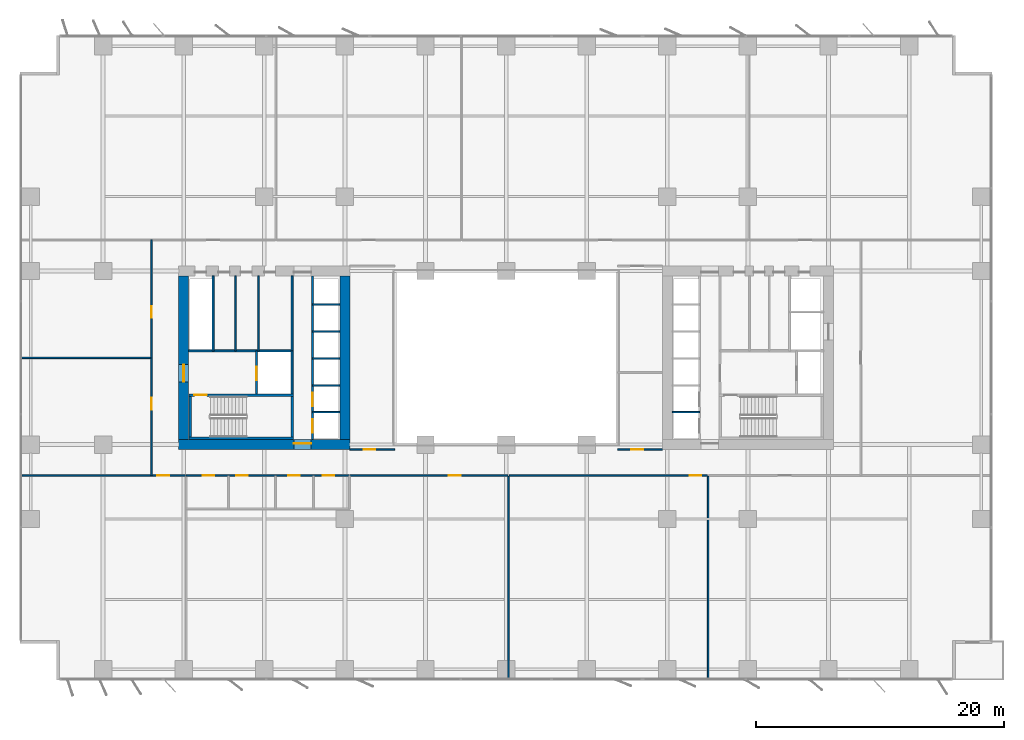
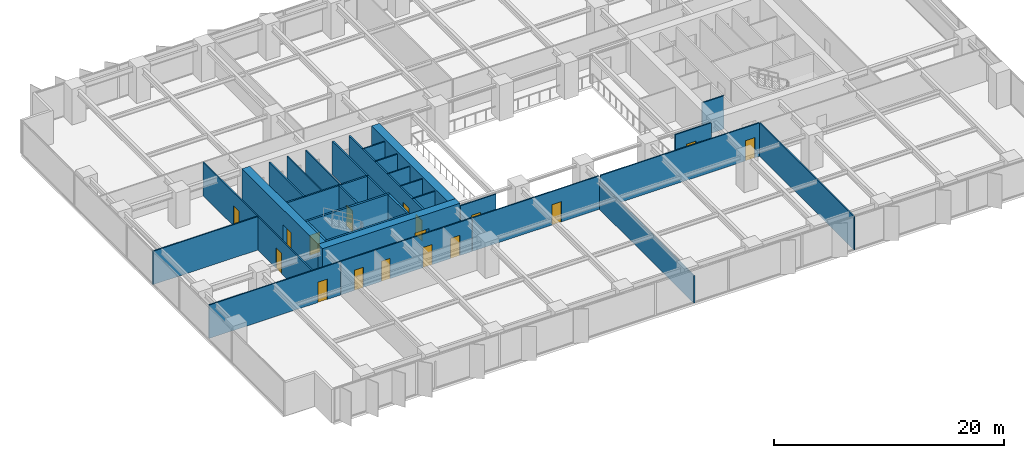
# One storey, part 13 of 20: 32 walls, 17 doors, 17 openings.
"""IFC4 building model written with IfcOpenShell, lengths in metres."""

import ifcopenshell
import ifcopenshell.guid

model = None  # the IFC model being written
_history = None  # IfcOwnerHistory: only IFC2X3 demands one
_inside = {}  # id of a spatial element -> (the spatial element, [elements in it])
_under = {}  # id of a project, library or spatial element -> (it, [spatial elements below it])
_declared = {}  # id of a project -> (the project, [libraries it declares])
_typed = {}  # id of a type object -> (the type object, [elements of that type])
_made_of = {}  # id of a material, layer set ... -> (it, [elements and type objects made of it])


def new_model(schema):
    """Start an empty IFC model of exactly this schema.

    Asked for "IFC4X3", IfcOpenShell would pick the latest addendum, in which some entities
    have other attributes; the version numbers below select the first issue.
    IFC2X3 requires an IfcOwnerHistory on every rooted entity: one is made here for all.
    """
    global model, _history
    if schema == "IFC4X3":
        model = ifcopenshell.file(schema_version=(4, 3, 0, 0))
    else:
        model = ifcopenshell.file(schema=schema)
    _inside.clear()
    _under.clear()
    _declared.clear()
    _typed.clear()
    _made_of.clear()
    _history = None
    if model.schema == "IFC2X3":
        org = make("IfcOrganization", Name="unknown")
        user = make(
            "IfcPersonAndOrganization",
            ThePerson=make("IfcPerson", FamilyName="unknown"),
            TheOrganization=org,
        )
        app = make(
            "IfcApplication",
            ApplicationDeveloper=org,
            Version="unknown",
            ApplicationFullName="unknown",
            ApplicationIdentifier="unknown",
        )
        _history = make(
            "IfcOwnerHistory",
            OwningUser=user,
            OwningApplication=app,
            ChangeAction="ADDED",
            CreationDate=0,
        )
    return model


def make(cls, **values):
    """One entity of the class cls with the attributes given. An attribute that is None is left unset."""
    return model.create_entity(
        cls, **{name: value for name, value in values.items() if value is not None}
    )


def rooted(cls, **values):
    """An entity with a GlobalId (a new one), such as an element, a storey or a relation."""
    return make(cls, GlobalId=ifcopenshell.guid.new(), OwnerHistory=_history, **values)


def si_unit(unit_type, name, prefix=None):
    """IfcSIUnit, for example si_unit("LENGTHUNIT", "METRE", prefix="MILLI")."""
    return make("IfcSIUnit", UnitType=unit_type, Prefix=prefix, Name=name)


def assignment(units):
    """IfcUnitAssignment: the units of a project."""
    return None if units is None else make("IfcUnitAssignment", Units=units)


def point(xyz):
    """IfcCartesianPoint."""
    return None if xyz is None else make("IfcCartesianPoint", Coordinates=xyz)


def direction(xyz):
    """IfcDirection."""
    return None if xyz is None else make("IfcDirection", DirectionRatios=xyz)


def frame(location, z_axis=None, x_axis=None):
    """IfcAxis2Placement3D, a coordinate frame: its origin and axes. An axis left out is left unset."""
    return make(
        "IfcAxis2Placement3D",
        Location=point(location),
        Axis=direction(z_axis),
        RefDirection=direction(x_axis),
    )


def frame_2d(location, x_axis=None):
    """IfcAxis2Placement2D, a coordinate frame in the plane: its origin and x axis."""
    return make(
        "IfcAxis2Placement2D", Location=point(location), RefDirection=direction(x_axis)
    )


def origin():
    """The frame at (0, 0, 0) with its axes left unset."""
    return frame((0.0, 0.0, 0.0))


def place(relative_to, where):
    """IfcLocalPlacement: puts the frame where relative to a parent placement (None: the world)."""
    return make(
        "IfcLocalPlacement", PlacementRelTo=relative_to, RelativePlacement=where
    )


def context(
    kind, dimensions, precision=None, world=None, true_north=None, identifier=None
):
    """IfcGeometricRepresentationContext, for example the 3D "Model" context."""
    return make(
        "IfcGeometricRepresentationContext",
        ContextIdentifier=identifier,
        ContextType=kind,
        CoordinateSpaceDimension=dimensions,
        Precision=precision,
        WorldCoordinateSystem=world,
        TrueNorth=true_north,
    )


def subcontext(parent, identifier, kind, view, scale=None):
    """IfcGeometricRepresentationSubContext, for example "Body" below "Model"."""
    return make(
        "IfcGeometricRepresentationSubContext",
        ContextIdentifier=identifier,
        ContextType=kind,
        ParentContext=parent,
        TargetScale=scale,
        TargetView=view,
    )


def project(units=None, contexts=None):
    """IfcProject with its units and contexts."""
    return rooted(
        "IfcProject",
        Name="project",
        RepresentationContexts=contexts,
        UnitsInContext=assignment(units),
    )


def spatial(cls, under=None, at=None, **own):
    """A site, building, storey or space (cls), placed at a placement, below another one or the project."""
    s = rooted(cls, ObjectPlacement=at, **own)
    if under is not None:
        _under.setdefault(under.id(), (under, []))[1].append(s)
    return s


def profile(cls, at=None, kind="AREA", **sizes):
    """A parametric profile (cls). Its sizes go by their IFC names, for example OverallWidth=200.0."""
    return make(cls, ProfileType=kind, Position=at, **sizes)


def rectangle(**sizes):
    """IfcRectangleProfileDef."""
    return profile("IfcRectangleProfileDef", **sizes)


def extrude(swept, where, along, depth):
    """IfcExtrudedAreaSolid: the profile swept, set in the frame where, extruded along a direction by depth."""
    return make(
        "IfcExtrudedAreaSolid",
        SweptArea=swept,
        Position=where,
        ExtrudedDirection=direction(along),
        Depth=depth,
    )


def shape(context_of_items, identifier, shape_type, items):
    """IfcShapeRepresentation: the items that make up one representation, for example the "Body"."""
    return make(
        "IfcShapeRepresentation",
        ContextOfItems=context_of_items,
        RepresentationIdentifier=identifier,
        RepresentationType=shape_type,
        Items=items,
    )


def material(Name=None, Category=None):
    """IfcMaterial."""
    return make("IfcMaterial", Name=Name, Category=Category)


def layer(
    of_material, thickness, ventilated=None, Name=None, Category=None, Priority=None
):
    """IfcMaterialLayer: one layer of a wall or slab, of a material (None: an air gap)."""
    return make(
        "IfcMaterialLayer",
        Material=of_material,
        LayerThickness=thickness,
        IsVentilated=ventilated,
        Name=Name,
        Category=Category,
        Priority=Priority,
    )


def layer_set(layers, Name=None):
    """IfcMaterialLayerSet."""
    return make("IfcMaterialLayerSet", MaterialLayers=layers, LayerSetName=Name)


def made_of(thing, what):
    """Note that an element or type object is made of a material, layer set ...; save() writes the relation."""
    if what is not None:
        _made_of.setdefault(what.id(), (what, []))[1].append(thing)
    return thing


def type_object(cls, material=None, **own):
    """A type object (cls), such as IfcWallType, which elements share."""
    return made_of(rooted(cls, **own), material)


def element(
    cls,
    number,
    at=None,
    inside=None,
    cuts=None,
    type_object=None,
    material=None,
    context=None,
    identifier="Body",
    shape_type=None,
    held_by="IfcProductDefinitionShape",
    body=None,
    shapes=None,
    **own,
):
    """One element of the class cls, such as IfcWall. Its Tag is "e" and its number.

    at: its placement. inside: the storey or other place that contains it. cuts: it is an
    opening in that element (IfcRelVoidsElement). A single representation is given by context,
    identifier, shape_type and body (its items); several are given by shapes. held_by: the class
    of the entity that holds the representations. save() writes the other relations.
    """
    e = rooted(cls, Tag="e%d" % number, ObjectPlacement=at, **own)
    if body is not None:
        shapes = [shape(context, identifier, shape_type, body)]
    if shapes is not None:
        e.Representation = make(held_by, Representations=shapes)
    if inside is not None:
        _inside.setdefault(inside.id(), (inside, []))[1].append(e)
    if cuts is not None:
        rooted(
            "IfcRelVoidsElement", RelatingBuildingElement=cuts, RelatedOpeningElement=e
        )
    if type_object is not None:
        _typed.setdefault(type_object.id(), (type_object, []))[1].append(e)
    return made_of(e, material)


def fill(opening, filler):
    """IfcRelFillsElement: the door or window that sits in an opening."""
    return rooted(
        "IfcRelFillsElement",
        RelatingOpeningElement=opening,
        RelatedBuildingElement=filler,
    )


def aggregate(whole, parts):
    """IfcRelAggregates: a whole, such as a stair, and the parts it consists of."""
    return rooted("IfcRelAggregates", RelatingObject=whole, RelatedObjects=parts)


def save(model, path):
    """Write the relations noted so far, then the file.

    IfcRelAggregates (storeys below a building ...), IfcRelContainedInSpatialStructure (elements
    in a storey), IfcRelDefinesByType, IfcRelAssociatesMaterial and IfcRelDeclares: one each for
    every whole, place, type object, material and project.
    """
    for whole, parts in _under.values():
        aggregate(whole, parts)
    for where, things in _inside.values():
        rooted(
            "IfcRelContainedInSpatialStructure",
            RelatedElements=things,
            RelatingStructure=where,
        )
    for kind, things in _typed.values():
        rooted("IfcRelDefinesByType", RelatedObjects=things, RelatingType=kind)
    for what, things in _made_of.values():
        rooted("IfcRelAssociatesMaterial", RelatedObjects=things, RelatingMaterial=what)
    for by, libraries in _declared.values():
        rooted("IfcRelDeclares", RelatingContext=by, RelatedDefinitions=libraries)
    model.write(path)


model = new_model("IFC4")

# Units and contexts
model_context = context("Model", 3, precision=1e-05, world=origin(), true_north=direction((0.0, 1.0)))
body_context = subcontext(model_context, "Body", "Model", "MODEL_VIEW")
ifc_project = project(units=[si_unit("LENGTHUNIT", "METRE"), si_unit("AREAUNIT", "SQUARE_METRE"), si_unit("VOLUMEUNIT", "CUBIC_METRE"), si_unit("PLANEANGLEUNIT", "RADIAN"), si_unit("MASSUNIT", "GRAM", prefix="KILO")], contexts=[model_context])

# Site, building, storey
site_placement = place(None, origin())
site = spatial("IfcSite", under=ifc_project, at=site_placement, CompositionType="ELEMENT")
building_placement = place(site_placement, origin())
building = spatial("IfcBuilding", under=site, at=building_placement, Name="Putna Gate Headquarters", CompositionType="ELEMENT")
storey_placement = place(building_placement, frame((0.0, 0.0, 46.800048828125)))
storey = spatial("IfcBuildingStorey", under=building, at=storey_placement, Name="L10", CompositionType="ELEMENT", Elevation=46.800048828125)

# Wall, opening, door
ifc_material_1 = material(Name="Concrete C60/75", Category="concrete")
ifc_layer_1 = layer(ifc_material_1, 0.800048828125)
ifc_layer_set_1 = layer_set([ifc_layer_1], Name="Concrete C60/75")
wall_type_1 = type_object("IfcWallType", Name="WALL-CORE-800", PredefinedType="SHEAR", material=ifc_layer_set_1)
wall_1_placement = place(storey_placement, frame((12.60009765625, 19.0, 0.0), z_axis=(0.0, 0.0, 1.0), x_axis=(1.0, 0.0, 0.0)))
wall_1 = element("IfcWall", 1, at=wall_1_placement, inside=storey, type_object=wall_type_1, Name="L10 WC Split Core Shear Wall S", PredefinedType="SHEAR", context=body_context, shape_type="SweptSolid", body=[
    extrude(rectangle(XDim=13.7998046875, YDim=0.800048828125, at=frame_2d((6.89990234375, 0.0))), origin(), (0.0, 0.0, 1.0), 3.800048828125),
])
opening_1_placement = place(wall_1_placement, frame((9.280029296875, 0.0, 0.0)))
opening_1 = element("IfcOpeningElement", 2, at=opening_1_placement, cuts=wall_1, Name="Opening FDD-140", PredefinedType="OPENING", context=body_context, shape_type="SweptSolid", body=[
    extrude(rectangle(XDim=1.39990234375, YDim=2.199951171875, at=frame_2d((0.699951171875, 1.10009765625))), frame((0.0, 0.409912109375, 0.0), z_axis=(0.0, -1.0, 0.0), x_axis=(1.0, 0.0, 0.0)), (0.0, 0.0, 1.0), 0.820068359375),
])
ifc_material_2 = material(Name="Double steel fire door", Category="steel")
door_type_1 = type_object("IfcDoorType", Name="DOOR-FIRE-DBL-1400", OperationType="DOUBLE_DOOR_SINGLE_SWING", PredefinedType="DOOR", material=ifc_material_2)
door_1_placement = place(opening_1_placement, origin())
door_1 = element("IfcDoor", 3, at=door_1_placement, inside=storey, type_object=door_type_1, Name="L10 West Lift Lobby South Door", OperationType="DOUBLE_DOOR_SINGLE_SWING", OverallHeight=2.199951171875, OverallWidth=1.39990234375, PredefinedType="DOOR", context=body_context, shape_type="SweptSolid", body=[
    extrude(rectangle(XDim=1.39990234375, YDim=2.199951171875, at=frame_2d((0.699951171875, 1.10009765625))), frame((0.0, 0.125, 0.0), z_axis=(0.0, -1.0, 0.0), x_axis=(1.0, 0.0, 0.0)), (0.0, 0.0, 1.0), 0.050048828125),
])
fill(opening_1, door_1)

wall_2_placement = place(storey_placement, frame((13.0, 19.39990234375, 0.0), z_axis=(0.0, 0.0, 1.0), x_axis=(0.0, 1.0, 0.0)))
wall_2 = element("IfcWall", 4, at=wall_2_placement, inside=storey, type_object=wall_type_1, Name="L10 WC Split Core Shear Wall W", PredefinedType="SHEAR", context=body_context, shape_type="SweptSolid", body=[
    extrude(rectangle(XDim=13.2001953125, YDim=0.800048828125, at=frame_2d((6.60009765625, 0.0))), origin(), (0.0, 0.0, 1.0), 3.800048828125),
])
opening_2_placement = place(wall_2_placement, frame((4.64990234375, 0.0, 0.0)))
opening_2 = element("IfcOpeningElement", 5, at=opening_2_placement, cuts=wall_2, Name="Opening FDD-140", PredefinedType="OPENING", context=body_context, shape_type="SweptSolid", body=[
    extrude(rectangle(XDim=1.39990234375, YDim=2.199951171875, at=frame_2d((0.699951171875, 1.10009765625))), frame((0.0, 0.409912109375, 0.0), z_axis=(0.0, -1.0, 0.0), x_axis=(1.0, 0.0, 0.0)), (0.0, 0.0, 1.0), 0.820068359375),
])
door_2_placement = place(opening_2_placement, origin())
door_2 = element("IfcDoor", 6, at=door_2_placement, inside=storey, type_object=door_type_1, Name="L10 West Firefighting Lobby Door", OperationType="DOUBLE_DOOR_SINGLE_SWING", OverallHeight=2.199951171875, OverallWidth=1.39990234375, PredefinedType="DOOR", context=body_context, shape_type="SweptSolid", body=[
    extrude(rectangle(XDim=1.39990234375, YDim=2.199951171875, at=frame_2d((0.699951171875, 1.10009765625))), frame((0.0, 0.02490234375, 0.0), z_axis=(0.0, -1.0, 0.0), x_axis=(1.0, 0.0, 0.0)), (0.0, 0.0, 1.0), 0.050048828125),
])
fill(opening_2, door_2)

# Wall
wall_3_placement = place(storey_placement, frame((26.0, 19.39990234375, 0.0), z_axis=(0.0, 0.0, 1.0), x_axis=(0.0, 1.0, 0.0)))
element("IfcWall", 7, at=wall_3_placement, inside=storey, type_object=wall_type_1, Name="L10 WC Split Core Shear Wall E", PredefinedType="SHEAR", context=body_context, shape_type="SweptSolid", body=[
    extrude(rectangle(XDim=13.2001953125, YDim=0.800048828125, at=frame_2d((6.60009765625, 0.0))), origin(), (0.0, 0.0, 1.0), 3.800048828125),
])

# Wall, opening, door
ifc_material_3 = material(Name="Acoustic gypsum board on metal stud")
ifc_layer_2 = layer(ifc_material_3, 0.1201171875)
ifc_layer_set_2 = layer_set([ifc_layer_2], Name="Acoustic gypsum board on metal stud")
wall_type_2 = type_object("IfcWallType", Name="WALL-PART-120", PredefinedType="PARTITIONING", material=ifc_layer_set_2)
wall_4_placement = place(storey_placement, frame((26.39990234375, 18.60009765625, 0.0), z_axis=(0.0, 0.0, 1.0), x_axis=(1.0, 0.0, 0.0)))
wall_4 = element("IfcWall", 8, at=wall_4_placement, inside=storey, type_object=wall_type_2, Name="L10 Interior Wall PART-L10-ATR-W-S", PredefinedType="PARTITIONING", context=body_context, shape_type="SweptSolid", body=[
    extrude(rectangle(XDim=3.60009765625, YDim=0.1201171875, at=frame_2d((1.800048828125, 0.0))), origin(), (0.0, 0.0, 1.0), 3.550048828125),
])
opening_3_placement = place(wall_4_placement, frame((1.10009765625, 0.0, 0.0)))
opening_3 = element("IfcOpeningElement", 9, at=opening_3_placement, cuts=wall_4, Name="Opening ID-95", PredefinedType="OPENING", context=body_context, shape_type="SweptSolid", body=[
    extrude(rectangle(XDim=0.949951171875, YDim=2.14990234375, at=frame_2d((0.47509765625, 1.074951171875))), frame((0.0, 0.070068359375, 0.0), z_axis=(0.0, -1.0, 0.0), x_axis=(1.0, 0.0, 0.0)), (0.0, 0.0, 1.0), 0.14013671875),
])
ifc_material_4 = material(Name="Veneered acoustic timber door", Category="wood")
door_type_2 = type_object("IfcDoorType", Name="DOOR-OFF-950", OperationType="NOTDEFINED", PredefinedType="DOOR", material=ifc_material_4)
door_3_placement = place(opening_3_placement, origin())
door_3 = element("IfcDoor", 10, at=door_3_placement, inside=storey, type_object=door_type_2, Name="L10 West Atrium Gallery Lounge Door", OperationType="SINGLE_SWING_LEFT", OverallHeight=2.14990234375, OverallWidth=0.949951171875, PredefinedType="DOOR", context=body_context, shape_type="SweptSolid", body=[
    extrude(rectangle(XDim=0.949951171875, YDim=2.14990234375, at=frame_2d((0.47509765625, 1.074951171875))), frame((0.0, 0.02490234375, 0.0), z_axis=(0.0, -1.0, 0.0), x_axis=(1.0, 0.0, 0.0)), (0.0, 0.0, 1.0), 0.050048828125),
])
fill(opening_3, door_3)

wall_5_placement = place(storey_placement, frame((48.0, 18.60009765625, 0.0), z_axis=(0.0, 0.0, 1.0), x_axis=(1.0, 0.0, 0.0)))
wall_5 = element("IfcWall", 11, at=wall_5_placement, inside=storey, type_object=wall_type_2, Name="L10 Interior Wall PART-L10-ATR-E-S", PredefinedType="PARTITIONING", context=body_context, shape_type="SweptSolid", body=[
    extrude(rectangle(XDim=3.60009765625, YDim=0.1201171875, at=frame_2d((1.800048828125, 0.0))), origin(), (0.0, 0.0, 1.0), 3.550048828125),
])
opening_4_placement = place(wall_5_placement, frame((1.10009765625, 0.0, 0.0)))
opening_4 = element("IfcOpeningElement", 12, at=opening_4_placement, cuts=wall_5, Name="Opening ID-95", PredefinedType="OPENING", context=body_context, shape_type="SweptSolid", body=[
    extrude(rectangle(XDim=0.949951171875, YDim=2.14990234375, at=frame_2d((0.47509765625, 1.074951171875))), frame((0.0, 0.070068359375, 0.0), z_axis=(0.0, -1.0, 0.0), x_axis=(1.0, 0.0, 0.0)), (0.0, 0.0, 1.0), 0.14013671875),
])
door_4_placement = place(opening_4_placement, origin())
door_4 = element("IfcDoor", 13, at=door_4_placement, inside=storey, type_object=door_type_2, Name="L10 East Atrium South Gallery Door", OperationType="SINGLE_SWING_RIGHT", OverallHeight=2.14990234375, OverallWidth=0.949951171875, PredefinedType="DOOR", context=body_context, shape_type="SweptSolid", body=[
    extrude(rectangle(XDim=0.949951171875, YDim=2.14990234375, at=frame_2d((0.47509765625, 1.074951171875))), frame((0.0, 0.02490234375, 0.0), z_axis=(0.0, -1.0, 0.0), x_axis=(1.0, 0.0, 0.0)), (0.0, 0.0, 1.0), 0.050048828125),
])
fill(opening_4, door_4)

# Walls
wall_6_placement = place(storey_placement, frame((39.199951171875, 0.02001953125, 0.0), z_axis=(0.0, 0.0, 1.0), x_axis=(0.0, 1.0, 0.0)))
element("IfcWall", 14, at=wall_6_placement, inside=storey, type_object=wall_type_2, Name="L10 Interior Wall PART-L10-SB-DIV-02", PredefinedType="PARTITIONING", context=body_context, shape_type="SweptSolid", body=[
    extrude(rectangle(XDim=16.419921875, YDim=0.1201171875, at=frame_2d((8.2099609375, 0.0))), origin(), (0.0, 0.0, 1.0), 2.89990234375),
])
wall_7_placement = place(storey_placement, frame((55.296142578125, 0.02001953125, 0.0), z_axis=(0.0, 0.0, 1.0), x_axis=(0.0, 1.0, 0.0)))
element("IfcWall", 15, at=wall_7_placement, inside=storey, type_object=wall_type_2, Name="L10 Interior Wall PART-L10-SB-DIV-03", PredefinedType="PARTITIONING", context=body_context, shape_type="SweptSolid", body=[
    extrude(rectangle(XDim=16.419921875, YDim=0.1201171875, at=frame_2d((8.2099609375, 0.0))), origin(), (0.0, 0.0, 1.0), 3.550048828125),
])
wall_8_placement = place(storey_placement, frame((-0.179931640625, 26.0, 0.0), z_axis=(0.0, 0.0, 1.0), x_axis=(1.0, 0.0, 0.0)))
element("IfcWall", 16, at=wall_8_placement, inside=storey, type_object=wall_type_2, Name="L10 Interior Wall PART-L10-WW-DIV-1", PredefinedType="PARTITIONING", context=body_context, shape_type="SweptSolid", body=[
    extrude(rectangle(XDim=10.579833984375, YDim=0.1201171875, at=frame_2d((5.2900390625, 0.0))), origin(), (0.0, 0.0, 1.0), 3.550048828125),
])
ifc_material_5 = material(Name="Fire-rated shaftwall gypsum board on metal stud")
ifc_layer_3 = layer(ifc_material_5, 0.1201171875)
ifc_layer_set_3 = layer_set([ifc_layer_3], Name="Fire-rated shaftwall gypsum board on metal stud")
wall_type_3 = type_object("IfcWallType", Name="WALL-PART-120-EI120", PredefinedType="PARTITIONING", material=ifc_layer_set_3)
for number, where, z_axis, x_axis, name in (
    (17, (23.39990234375, 21.610107421875, 0.0), (0.0, 0.0, 1.0), (1.0, 0.0, 0.0), "L10 Interior Wall CWINT-L10-WC-LF01-DIV"),
    (18, (23.39990234375, 23.780029296875, 0.0), (0.0, 0.0, 1.0), (1.0, 0.0, 0.0), "L10 Interior Wall CWINT-L10-WC-LF02-DIV"),
    (19, (23.39990234375, 25.949951171875, 0.0), (0.0, 0.0, 1.0), (1.0, 0.0, 0.0), "L10 Interior Wall CWINT-L10-WC-LF05-DIV"),
    (20, (23.39990234375, 28.1201171875, 0.0), (0.0, 0.0, 1.0), (1.0, 0.0, 0.0), "L10 Interior Wall CWINT-L10-WC-LF06-DIV"),
    (21, (23.39990234375, 30.31005859375, 0.0), (0.0, 0.0, 1.0), (1.0, 0.0, 0.0), "L10 Interior Wall CWINT-L10-WC-LF09-DIV"),
    (22, (52.39990234375, 21.610107421875, 0.0), (0.0, 0.0, 1.0), (1.0, 0.0, 0.0), "L10 Interior Wall CWINT-L10-EC-LF03-DIV"),
):
    element("IfcWall", number, at=place(storey_placement, frame(where, z_axis=z_axis, x_axis=x_axis)), inside=storey, type_object=wall_type_3, Name=name, PredefinedType="PARTITIONING", context=body_context, shape_type="SweptSolid", body=[
        extrude(rectangle(XDim=2.2001953125, YDim=0.1201171875, at=frame_2d((1.10009765625, 0.0))), origin(), (0.0, 0.0, 1.0), 3.550048828125),
    ])
ifc_material_6 = material(Name="Fire-rated gypsum board on metal stud")
ifc_layer_4 = layer(ifc_material_6, 0.1201171875)
ifc_layer_set_4 = layer_set([ifc_layer_4], Name="Fire-rated gypsum board on metal stud")
wall_type_4 = type_object("IfcWallType", Name="WALL-PART-120-RATED", PredefinedType="PARTITIONING", material=ifc_layer_set_4)
for number, where, z_axis, x_axis, name in (
    (23, (17.169921875, 26.56005859375, 0.0), (0.0, 0.0, 1.0), (0.0, 1.0, 0.0), "L10 Interior Wall CWINT-L10-WC-K2-D1"),
    (24, (19.02001953125, 26.56005859375, 0.0), (0.0, 0.0, 1.0), (0.0, 1.0, 0.0), "L10 Interior Wall CWINT-L10-WC-K2-D2"),
):
    element("IfcWall", number, at=place(storey_placement, frame(where, z_axis=z_axis, x_axis=x_axis)), inside=storey, type_object=wall_type_4, Name=name, PredefinedType="PARTITIONING", context=body_context, shape_type="SweptSolid", body=[
        extrude(rectangle(XDim=6.0400390625, YDim=0.1201171875, at=frame_2d((3.02001953125, 0.0))), origin(), (0.0, 0.0, 1.0), 3.550048828125),
    ])

# Wall, openings, doors
wall_9_placement = place(storey_placement, frame((13.199951171875, 16.5, 0.0), z_axis=(0.0, 0.0, 1.0), x_axis=(1.0, 0.0, 0.0)))
wall_9 = element("IfcWall", 25, at=wall_9_placement, inside=storey, type_object=wall_type_4, Name="L10 Interior Wall PART-L10-SAN-CW", PredefinedType="PARTITIONING", context=body_context, shape_type="SweptSolid", body=[
    extrude(rectangle(XDim=13.16015625, YDim=0.1201171875, at=frame_2d((6.580078125, 0.0))), origin(), (0.0, 0.0, 1.0), 3.550048828125),
])
opening_5_placement = place(wall_9_placement, frame((1.35009765625, 0.0, 0.0)))
opening_5 = element("IfcOpeningElement", 26, at=opening_5_placement, cuts=wall_9, Name="Opening FD-90", PredefinedType="OPENING", context=body_context, shape_type="SweptSolid", body=[
    extrude(rectangle(XDim=0.89990234375, YDim=2.14990234375, at=frame_2d((0.449951171875, 1.074951171875))), frame((0.0, 0.070068359375, 0.0), z_axis=(0.0, -1.0, 0.0), x_axis=(1.0, 0.0, 0.0)), (0.0, 0.0, 1.0), 0.14013671875),
])
opening_6_placement = place(wall_9_placement, frame((4.050048828125, 0.0, 0.0)))
opening_6 = element("IfcOpeningElement", 27, at=opening_6_placement, cuts=wall_9, Name="Opening FD-90", PredefinedType="OPENING", context=body_context, shape_type="SweptSolid", body=[
    extrude(rectangle(XDim=0.89990234375, YDim=2.14990234375, at=frame_2d((0.449951171875, 1.074951171875))), frame((0.0, 0.070068359375, 0.0), z_axis=(0.0, -1.0, 0.0), x_axis=(1.0, 0.0, 0.0)), (0.0, 0.0, 1.0), 0.14013671875),
])
opening_7_placement = place(wall_9_placement, frame((8.25, 0.0, 0.0)))
opening_7 = element("IfcOpeningElement", 28, at=opening_7_placement, cuts=wall_9, Name="Opening FD-90", PredefinedType="OPENING", context=body_context, shape_type="SweptSolid", body=[
    extrude(rectangle(XDim=0.89990234375, YDim=2.14990234375, at=frame_2d((0.449951171875, 1.074951171875))), frame((0.0, 0.070068359375, 0.0), z_axis=(0.0, -1.0, 0.0), x_axis=(1.0, 0.0, 0.0)), (0.0, 0.0, 1.0), 0.14013671875),
])
opening_8_placement = place(wall_9_placement, frame((11.0, 0.0, 0.0)))
opening_8 = element("IfcOpeningElement", 29, at=opening_8_placement, cuts=wall_9, Name="Opening FD-95", PredefinedType="OPENING", context=body_context, shape_type="SweptSolid", body=[
    extrude(rectangle(XDim=0.949951171875, YDim=2.14990234375, at=frame_2d((0.47509765625, 1.074951171875))), frame((0.0, 0.070068359375, 0.0), z_axis=(0.0, -1.0, 0.0), x_axis=(1.0, 0.0, 0.0)), (0.0, 0.0, 1.0), 0.14013671875),
])
ifc_material_7 = material(Name="Acoustic washroom fire door")
door_type_3 = type_object("IfcDoorType", Name="DOOR-FIRE-900", OperationType="NOTDEFINED", PredefinedType="DOOR", material=ifc_material_7)
door_5_placement = place(opening_5_placement, origin())
door_5 = element("IfcDoor", 30, at=door_5_placement, inside=storey, type_object=door_type_3, Name="L10 Washroom Male Door", OperationType="SINGLE_SWING_RIGHT", OverallHeight=2.14990234375, OverallWidth=0.89990234375, PredefinedType="DOOR", context=body_context, shape_type="SweptSolid", body=[
    extrude(rectangle(XDim=0.89990234375, YDim=2.14990234375, at=frame_2d((0.449951171875, 1.074951171875))), frame((0.0, 0.02490234375, 0.0), z_axis=(0.0, -1.0, 0.0), x_axis=(1.0, 0.0, 0.0)), (0.0, 0.0, 1.0), 0.050048828125),
])
fill(opening_5, door_5)
door_6_placement = place(opening_6_placement, origin())
door_6 = element("IfcDoor", 31, at=door_6_placement, inside=storey, type_object=door_type_3, Name="L10 Washroom Female Door", OperationType="SINGLE_SWING_LEFT", OverallHeight=2.14990234375, OverallWidth=0.89990234375, PredefinedType="DOOR", context=body_context, shape_type="SweptSolid", body=[
    extrude(rectangle(XDim=0.89990234375, YDim=2.14990234375, at=frame_2d((0.449951171875, 1.074951171875))), frame((0.0, 0.02490234375, 0.0), z_axis=(0.0, -1.0, 0.0), x_axis=(1.0, 0.0, 0.0)), (0.0, 0.0, 1.0), 0.050048828125),
])
fill(opening_6, door_6)
door_7_placement = place(opening_7_placement, origin())
door_7 = element("IfcDoor", 32, at=door_7_placement, inside=storey, type_object=door_type_3, Name="L10 Accessible WC Door", OperationType="SINGLE_SWING_RIGHT", OverallHeight=2.14990234375, OverallWidth=0.89990234375, PredefinedType="DOOR", context=body_context, shape_type="SweptSolid", body=[
    extrude(rectangle(XDim=0.89990234375, YDim=2.14990234375, at=frame_2d((0.449951171875, 1.074951171875))), frame((0.0, 0.02490234375, 0.0), z_axis=(0.0, -1.0, 0.0), x_axis=(1.0, 0.0, 0.0)), (0.0, 0.0, 1.0), 0.050048828125),
])
fill(opening_7, door_7)
ifc_material_8 = material(Name="Acoustic timber fire door", Category="wood")
door_type_4 = type_object("IfcDoorType", Name="DOOR-FIRE-950", OperationType="NOTDEFINED", PredefinedType="DOOR", material=ifc_material_8)
door_8_placement = place(opening_8_placement, origin())
door_8 = element("IfcDoor", 33, at=door_8_placement, inside=storey, type_object=door_type_4, Name="L10 Staff Pantry and Tea Point Door", OperationType="SINGLE_SWING_LEFT", OverallHeight=2.14990234375, OverallWidth=0.949951171875, PredefinedType="DOOR", context=body_context, shape_type="SweptSolid", body=[
    extrude(rectangle(XDim=0.949951171875, YDim=2.14990234375, at=frame_2d((0.47509765625, 1.074951171875))), frame((0.0, 0.02490234375, 0.0), z_axis=(0.0, -1.0, 0.0), x_axis=(1.0, 0.0, 0.0)), (0.0, 0.0, 1.0), 0.050048828125),
])
fill(opening_8, door_8)

# Wall, opening, door
wall_10_placement = place(storey_placement, frame((-0.02001953125, 16.5, 0.0), z_axis=(0.0, 0.0, 1.0), x_axis=(1.0, 0.0, 0.0)))
wall_10 = element("IfcWall", 34, at=wall_10_placement, inside=storey, type_object=wall_type_4, Name="L10 Interior Wall PART-L10-SB-CW-01", PredefinedType="PARTITIONING", context=body_context, shape_type="SweptSolid", body=[
    extrude(rectangle(XDim=13.159912109375, YDim=0.1201171875, at=frame_2d((6.580078125, 0.0))), origin(), (0.0, 0.0, 1.0), 3.550048828125),
])
opening_9_placement = place(wall_10_placement, frame((10.89990234375, 0.0, 0.0)))
opening_9 = element("IfcOpeningElement", 35, at=opening_9_placement, cuts=wall_10, Name="Opening FD-95", PredefinedType="OPENING", context=body_context, shape_type="SweptSolid", body=[
    extrude(rectangle(XDim=0.949951171875, YDim=2.14990234375, at=frame_2d((0.47509765625, 1.074951171875))), frame((0.0, 0.070068359375, 0.0), z_axis=(0.0, -1.0, 0.0), x_axis=(1.0, 0.0, 0.0)), (0.0, 0.0, 1.0), 0.14013671875),
])
door_9_placement = place(opening_9_placement, origin())
door_9 = element("IfcDoor", 36, at=door_9_placement, inside=storey, type_object=door_type_4, Name="L10 Quiet Wellness Focus Studio 2 Door", OperationType="SINGLE_SWING_RIGHT", OverallHeight=2.14990234375, OverallWidth=0.949951171875, PredefinedType="DOOR", context=body_context, shape_type="SweptSolid", body=[
    extrude(rectangle(XDim=0.949951171875, YDim=2.14990234375, at=frame_2d((0.47509765625, 1.074951171875))), frame((0.0, 0.02490234375, 0.0), z_axis=(0.0, -1.0, 0.0), x_axis=(1.0, 0.0, 0.0)), (0.0, 0.0, 1.0), 0.050048828125),
])
fill(opening_9, door_9)

wall_11_placement = place(storey_placement, frame((26.419921875, 16.5, 0.0), z_axis=(0.0, 0.0, 1.0), x_axis=(1.0, 0.0, 0.0)))
wall_11 = element("IfcWall", 37, at=wall_11_placement, inside=storey, type_object=wall_type_4, Name="L10 Interior Wall PART-L10-SB-CW-02", PredefinedType="PARTITIONING", context=body_context, shape_type="SweptSolid", body=[
    extrude(rectangle(XDim=12.719970703125, YDim=0.1201171875, at=frame_2d((6.35986328125, 0.0))), origin(), (0.0, 0.0, 1.0), 3.550048828125),
])
opening_10_placement = place(wall_11_placement, frame((7.9541015625, 0.0, 0.0)))
opening_10 = element("IfcOpeningElement", 38, at=opening_10_placement, cuts=wall_11, Name="Opening FD-95", PredefinedType="OPENING", context=body_context, shape_type="SweptSolid", body=[
    extrude(rectangle(XDim=0.949951171875, YDim=2.14990234375, at=frame_2d((0.47509765625, 1.074951171875))), frame((0.0, 0.070068359375, 0.0), z_axis=(0.0, -1.0, 0.0), x_axis=(1.0, 0.0, 0.0)), (0.0, 0.0, 1.0), 0.14013671875),
])
door_10_placement = place(opening_10_placement, origin())
door_10 = element("IfcDoor", 39, at=door_10_placement, inside=storey, type_object=door_type_4, Name="L10 Primary Open Office Workplace Door", OperationType="SINGLE_SWING_LEFT", OverallHeight=2.14990234375, OverallWidth=0.949951171875, PredefinedType="DOOR", context=body_context, shape_type="SweptSolid", body=[
    extrude(rectangle(XDim=0.949951171875, YDim=2.14990234375, at=frame_2d((0.47509765625, 1.074951171875))), frame((0.0, 0.02490234375, 0.0), z_axis=(0.0, -1.0, 0.0), x_axis=(1.0, 0.0, 0.0)), (0.0, 0.0, 1.0), 0.050048828125),
])
fill(opening_10, door_10)

wall_12_placement = place(storey_placement, frame((39.260009765625, 16.5, 0.0), z_axis=(0.0, 0.0, 1.0), x_axis=(1.0, 0.0, 0.0)))
wall_12 = element("IfcWall", 40, at=wall_12_placement, inside=storey, type_object=wall_type_4, Name="L10 Interior Wall PART-L10-SB-CW-03", PredefinedType="PARTITIONING", context=body_context, shape_type="SweptSolid", body=[
    extrude(rectangle(XDim=15.97607421875, YDim=0.1201171875, at=frame_2d((7.988037109375, 0.0))), origin(), (0.0, 0.0, 1.0), 3.550048828125),
])
opening_11_placement = place(wall_12_placement, frame((14.546142578125, 0.0, 0.0)))
opening_11 = element("IfcOpeningElement", 41, at=opening_11_placement, cuts=wall_12, Name="Opening FD-95", PredefinedType="OPENING", context=body_context, shape_type="SweptSolid", body=[
    extrude(rectangle(XDim=0.949951171875, YDim=2.14990234375, at=frame_2d((0.47509765625, 1.074951171875))), frame((0.0, 0.070068359375, 0.0), z_axis=(0.0, -1.0, 0.0), x_axis=(1.0, 0.0, 0.0)), (0.0, 0.0, 1.0), 0.14013671875),
])
door_11_placement = place(opening_11_placement, origin())
door_11 = element("IfcDoor", 42, at=door_11_placement, inside=storey, type_object=door_type_4, Name="L10 Conference Meeting Room 1 Door", OperationType="SINGLE_SWING_RIGHT", OverallHeight=2.14990234375, OverallWidth=0.949951171875, PredefinedType="DOOR", context=body_context, shape_type="SweptSolid", body=[
    extrude(rectangle(XDim=0.949951171875, YDim=2.14990234375, at=frame_2d((0.47509765625, 1.074951171875))), frame((0.0, 0.02490234375, 0.0), z_axis=(0.0, -1.0, 0.0), x_axis=(1.0, 0.0, 0.0)), (0.0, 0.0, 1.0), 0.050048828125),
])
fill(opening_11, door_11)

wall_13_placement = place(storey_placement, frame((10.39990234375, 16.5, 0.0), z_axis=(0.0, 0.0, 1.0), x_axis=(0.0, 1.0, 0.0)))
wall_13 = element("IfcWall", 43, at=wall_13_placement, inside=storey, type_object=wall_type_4, Name="L10 Interior Wall PART-L10-WW-CW-1", PredefinedType="PARTITIONING", context=body_context, shape_type="SweptSolid", body=[
    extrude(rectangle(XDim=9.5, YDim=0.1201171875, at=frame_2d((4.75, 0.0))), origin(), (0.0, 0.0, 1.0), 3.550048828125),
])
opening_12_placement = place(wall_13_placement, frame((5.324951171875, 0.0, 0.0)))
opening_12 = element("IfcOpeningElement", 44, at=opening_12_placement, cuts=wall_13, Name="Opening FD-95", PredefinedType="OPENING", context=body_context, shape_type="SweptSolid", body=[
    extrude(rectangle(XDim=0.949951171875, YDim=2.14990234375, at=frame_2d((0.47509765625, 1.074951171875))), frame((0.0, 0.070068359375, 0.0), z_axis=(0.0, -1.0, 0.0), x_axis=(1.0, 0.0, 0.0)), (0.0, 0.0, 1.0), 0.14013671875),
])
door_12_placement = place(opening_12_placement, origin())
door_12 = element("IfcDoor", 45, at=door_12_placement, inside=storey, type_object=door_type_4, Name="L10 West Project Meeting Room 1 Door", OperationType="SINGLE_SWING_RIGHT", OverallHeight=2.14990234375, OverallWidth=0.949951171875, PredefinedType="DOOR", context=body_context, shape_type="SweptSolid", body=[
    extrude(rectangle(XDim=0.949951171875, YDim=2.14990234375, at=frame_2d((0.47509765625, 1.074951171875))), frame((0.0, 0.02490234375, 0.0), z_axis=(0.0, -1.0, 0.0), x_axis=(1.0, 0.0, 0.0)), (0.0, 0.0, 1.0), 0.050048828125),
])
fill(opening_12, door_12)

wall_14_placement = place(storey_placement, frame((10.39990234375, 26.0, 0.0), z_axis=(0.0, 0.0, 1.0), x_axis=(0.0, 1.0, 0.0)))
wall_14 = element("IfcWall", 46, at=wall_14_placement, inside=storey, type_object=wall_type_4, Name="L10 Interior Wall PART-L10-WW-CW-2", PredefinedType="PARTITIONING", context=body_context, shape_type="SweptSolid", body=[
    extrude(rectangle(XDim=9.5, YDim=0.1201171875, at=frame_2d((4.75, 0.0))), origin(), (0.0, 0.0, 1.0), 3.550048828125),
])
opening_13_placement = place(wall_14_placement, frame((3.22509765625, 0.0, 0.0)))
opening_13 = element("IfcOpeningElement", 47, at=opening_13_placement, cuts=wall_14, Name="Opening FD-95", PredefinedType="OPENING", context=body_context, shape_type="SweptSolid", body=[
    extrude(rectangle(XDim=0.949951171875, YDim=2.14990234375, at=frame_2d((0.47509765625, 1.074951171875))), frame((0.0, 0.070068359375, 0.0), z_axis=(0.0, -1.0, 0.0), x_axis=(1.0, 0.0, 0.0)), (0.0, 0.0, 1.0), 0.14013671875),
])
door_13_placement = place(opening_13_placement, origin())
door_13 = element("IfcDoor", 48, at=door_13_placement, inside=storey, type_object=door_type_4, Name="L10 West Project Meeting Room 2 Door", OperationType="SINGLE_SWING_LEFT", OverallHeight=2.14990234375, OverallWidth=0.949951171875, PredefinedType="DOOR", context=body_context, shape_type="SweptSolid", body=[
    extrude(rectangle(XDim=0.949951171875, YDim=2.14990234375, at=frame_2d((0.47509765625, 1.074951171875))), frame((0.0, 0.02490234375, 0.0), z_axis=(0.0, -1.0, 0.0), x_axis=(1.0, 0.0, 0.0)), (0.0, 0.0, 1.0), 0.050048828125),
])
fill(opening_13, door_13)

# Wall
ifc_material_9 = material(Name="Concrete C40/50", Category="concrete")
ifc_layer_5 = layer(ifc_material_9, 0.159912109375)
ifc_layer_set_5 = layer_set([ifc_layer_5], Name="Concrete C40/50")
wall_type_5 = type_object("IfcWallType", Name="WALL-SHAFT-160", PredefinedType="STANDARD", material=ifc_layer_set_5)
wall_15_placement = place(storey_placement, frame((21.739990234375, 23.090087890625, 0.0), z_axis=(0.0, 0.0, 1.0), x_axis=(0.0, 1.0, 0.0)))
element("IfcWall", 49, at=wall_15_placement, inside=storey, type_object=wall_type_5, Name="L10 Interior Wall CWINT-L10-WC-FFL-E", PredefinedType="STANDARD", context=body_context, shape_type="SweptSolid", body=[
    extrude(rectangle(XDim=3.469970703125, YDim=0.159912109375, at=frame_2d((1.73486328125, 0.0))), origin(), (0.0, 0.0, 1.0), 3.550048828125),
])

# Wall, opening, door
wall_16_placement = place(storey_placement, frame((18.8798828125, 23.090087890625, 0.0), z_axis=(0.0, 0.0, 1.0), x_axis=(0.0, 1.0, 0.0)))
wall_16 = element("IfcWall", 50, at=wall_16_placement, inside=storey, type_object=wall_type_5, Name="L10 Interior Wall CWINT-L10-WC-LF13-W", PredefinedType="STANDARD", context=body_context, shape_type="SweptSolid", body=[
    extrude(rectangle(XDim=3.469970703125, YDim=0.159912109375, at=frame_2d((1.73486328125, 0.0))), origin(), (0.0, 0.0, 1.0), 3.550048828125),
])
opening_14_placement = place(wall_16_placement, frame((1.10009765625, 0.0, 0.0)))
opening_14 = element("IfcOpeningElement", 51, at=opening_14_placement, cuts=wall_16, Name="Opening LD-1", PredefinedType="OPENING", context=body_context, shape_type="SweptSolid", body=[
    extrude(rectangle(XDim=1.10009765625, YDim=2.199951171875, at=frame_2d((0.550048828125, 1.10009765625))), frame((0.0, 0.08984375, 0.0), z_axis=(0.0, -1.0, 0.0), x_axis=(1.0, 0.0, 0.0)), (0.0, 0.0, 1.0), 0.179931640625),
])
ifc_material_10 = material(Name="Brushed bronze stainless lift landing door")
door_type_5 = type_object("IfcDoorType", Name="DOOR-LIFT-1100", OperationType="DOUBLE_DOOR_SLIDING", PredefinedType="DOOR", material=ifc_material_10)
door_14_placement = place(opening_14_placement, origin())
door_14 = element("IfcDoor", 52, at=door_14_placement, inside=storey, type_object=door_type_5, Name="L10 Lift Landing Door LD-13", OperationType="DOUBLE_DOOR_SLIDING", OverallHeight=2.199951171875, OverallWidth=1.10009765625, PredefinedType="DOOR", context=body_context, shape_type="SweptSolid", body=[
    extrude(rectangle(XDim=1.10009765625, YDim=2.199951171875, at=frame_2d((0.550048828125, 1.10009765625))), frame((0.0, 0.02490234375, 0.0), z_axis=(0.0, -1.0, 0.0), x_axis=(1.0, 0.0, 0.0)), (0.0, 0.0, 1.0), 0.050048828125),
])
fill(opening_14, door_14)

# Walls
wall_17_placement = place(storey_placement, frame((13.39990234375, 26.56005859375, 0.0), z_axis=(0.0, 0.0, 1.0), x_axis=(1.0, 0.0, 0.0)))
element("IfcWall", 53, at=wall_17_placement, inside=storey, type_object=wall_type_5, Name="L10 Interior Wall CWINT-L10-WC-FFL-N", PredefinedType="STANDARD", context=body_context, shape_type="SweptSolid", body=[
    extrude(rectangle(XDim=8.340087890625, YDim=0.159912109375, at=frame_2d((4.169921875, 0.0))), origin(), (0.0, 0.0, 1.0), 3.550048828125),
])
for number, where, z_axis, x_axis, name in (
    (54, (15.3798828125, 26.56005859375, 0.0), (0.0, 0.0, 1.0), (0.0, 1.0, 0.0), "L10 Interior Wall CWINT-L10-WC-RISER-E"),
    (55, (21.739990234375, 26.56005859375, 0.0), (0.0, 0.0, 1.0), (0.0, 1.0, 0.0), "L10 Interior Wall CWINT-L10-WC-LOB-W"),
):
    element("IfcWall", number, at=place(storey_placement, frame(where, z_axis=z_axis, x_axis=x_axis)), inside=storey, type_object=wall_type_5, Name=name, PredefinedType="STANDARD", context=body_context, shape_type="SweptSolid", body=[
        extrude(rectangle(XDim=6.0400390625, YDim=0.159912109375, at=frame_2d((3.02001953125, 0.0))), origin(), (0.0, 0.0, 1.0), 3.550048828125),
    ])

# Wall, openings, doors
wall_18_placement = place(storey_placement, frame((23.39990234375, 19.39990234375, 0.0), z_axis=(0.0, 0.0, 1.0), x_axis=(0.0, 1.0, 0.0)))
wall_18 = element("IfcWall", 56, at=wall_18_placement, inside=storey, type_object=wall_type_5, Name="L10 Interior Wall CWINT-L10-WC-PL-WALL", PredefinedType="STANDARD", context=body_context, shape_type="SweptSolid", body=[
    extrude(rectangle(XDim=13.2001953125, YDim=0.159912109375, at=frame_2d((6.60009765625, 0.0))), origin(), (0.0, 0.0, 1.0), 3.550048828125),
])
opening_15_placement = place(wall_18_placement, frame((0.550048828125, 0.0, 0.0)))
opening_15 = element("IfcOpeningElement", 57, at=opening_15_placement, cuts=wall_18, Name="Opening LD-1", PredefinedType="OPENING", context=body_context, shape_type="SweptSolid", body=[
    extrude(rectangle(XDim=1.10009765625, YDim=2.199951171875, at=frame_2d((0.550048828125, 1.10009765625))), frame((0.0, 0.08984375, 0.0), z_axis=(0.0, -1.0, 0.0), x_axis=(1.0, 0.0, 0.0)), (0.0, 0.0, 1.0), 0.179931640625),
])
opening_16_placement = place(wall_18_placement, frame((2.699951171875, 0.0, 0.0)))
opening_16 = element("IfcOpeningElement", 58, at=opening_16_placement, cuts=wall_18, Name="Opening LD-1", PredefinedType="OPENING", context=body_context, shape_type="SweptSolid", body=[
    extrude(rectangle(XDim=1.10009765625, YDim=2.199951171875, at=frame_2d((0.550048828125, 1.10009765625))), frame((0.0, 0.08984375, 0.0), z_axis=(0.0, -1.0, 0.0), x_axis=(1.0, 0.0, 0.0)), (0.0, 0.0, 1.0), 0.179931640625),
])
door_15_placement = place(opening_15_placement, origin())
door_15 = element("IfcDoor", 59, at=door_15_placement, inside=storey, type_object=door_type_5, Name="L10 Lift Landing Door LD-01", OperationType="DOUBLE_DOOR_SLIDING", OverallHeight=2.199951171875, OverallWidth=1.10009765625, PredefinedType="DOOR", context=body_context, shape_type="SweptSolid", body=[
    extrude(rectangle(XDim=1.10009765625, YDim=2.199951171875, at=frame_2d((0.550048828125, 1.10009765625))), frame((0.0, 0.02490234375, 0.0), z_axis=(0.0, -1.0, 0.0), x_axis=(1.0, 0.0, 0.0)), (0.0, 0.0, 1.0), 0.050048828125),
])
fill(opening_15, door_15)
door_16_placement = place(opening_16_placement, origin())
door_16 = element("IfcDoor", 60, at=door_16_placement, inside=storey, type_object=door_type_5, Name="L10 Lift Landing Door LD-02", OperationType="DOUBLE_DOOR_SLIDING", OverallHeight=2.199951171875, OverallWidth=1.10009765625, PredefinedType="DOOR", context=body_context, shape_type="SweptSolid", body=[
    extrude(rectangle(XDim=1.10009765625, YDim=2.199951171875, at=frame_2d((0.550048828125, 1.10009765625))), frame((0.0, 0.02490234375, 0.0), z_axis=(0.0, -1.0, 0.0), x_axis=(1.0, 0.0, 0.0)), (0.0, 0.0, 1.0), 0.050048828125),
])
fill(opening_16, door_16)

# Wall
ifc_layer_6 = layer(ifc_material_9, 0.199951171875)
ifc_layer_set_6 = layer_set([ifc_layer_6], Name="Concrete C40/50")
wall_type_6 = type_object("IfcWallType", Name="WALL-SHAFT-RC200", PredefinedType="SHEAR", material=ifc_layer_set_6)
wall_19_placement = place(storey_placement, frame((13.409912109375, 19.510009765625, 0.0), z_axis=(0.0, 0.0, 1.0), x_axis=(1.0, 0.0, 0.0)))
element("IfcWall", 61, at=wall_19_placement, inside=storey, type_object=wall_type_6, Name="L10 Stair ST1 Structural Shaft Wall S", PredefinedType="SHEAR", context=body_context, shape_type="SweptSolid", body=[
    extrude(rectangle(XDim=8.43017578125, YDim=0.199951171875, at=frame_2d((4.215087890625, 0.0))), origin(), (0.0, 0.0, 1.0), 3.800048828125),
])

# Wall, opening, door
wall_20_placement = place(storey_placement, frame((13.409912109375, 22.989990234375, 0.0), z_axis=(0.0, 0.0, 1.0), x_axis=(1.0, 0.0, 0.0)))
wall_20 = element("IfcWall", 62, at=wall_20_placement, inside=storey, type_object=wall_type_6, Name="L10 Stair ST1 Structural Shaft Wall N", PredefinedType="SHEAR", context=body_context, shape_type="SweptSolid", body=[
    extrude(rectangle(XDim=8.43017578125, YDim=0.199951171875, at=frame_2d((4.215087890625, 0.0))), origin(), (0.0, 0.0, 1.0), 3.800048828125),
])
opening_17_placement = place(wall_20_placement, frame((0.449951171875, 0.0, 0.0)))
opening_17 = element("IfcOpeningElement", 63, at=opening_17_placement, cuts=wall_20, Name="Opening FD-100", PredefinedType="OPENING", context=body_context, shape_type="SweptSolid", body=[
    extrude(rectangle(XDim=1.0, YDim=2.14990234375, at=frame_2d((0.5, 1.074951171875))), frame((0.0, 0.10986328125, 0.0), z_axis=(0.0, -1.0, 0.0), x_axis=(1.0, 0.0, 0.0)), (0.0, 0.0, 1.0), 0.219970703125),
])
ifc_material_11 = material(Name="Powder-coated steel fire door", Category="steel")
door_type_6 = type_object("IfcDoorType", Name="DOOR-FIRE-1000", OperationType="NOTDEFINED", PredefinedType="DOOR", material=ifc_material_11)
door_17_placement = place(opening_17_placement, origin())
door_17 = element("IfcDoor", 64, at=door_17_placement, inside=storey, type_object=door_type_6, Name="L10 Stair ST1 Fire Door", OperationType="SINGLE_SWING_LEFT", OverallHeight=2.14990234375, OverallWidth=1.0, PredefinedType="DOOR", context=body_context, shape_type="SweptSolid", body=[
    extrude(rectangle(XDim=1.0, YDim=2.14990234375, at=frame_2d((0.5, 1.074951171875))), frame((0.0, 0.02490234375, 0.0), z_axis=(0.0, -1.0, 0.0), x_axis=(1.0, 0.0, 0.0)), (0.0, 0.0, 1.0), 0.050048828125),
])
fill(opening_17, door_17)

# Walls
for number, where, z_axis, x_axis, name in (
    (65, (13.510009765625, 19.610107421875, 0.0), (0.0, 0.0, 1.0), (0.0, 1.0, 0.0), "L10 Stair ST1 Structural Shaft Wall W"),
    (66, (21.739990234375, 19.610107421875, 0.0), (0.0, 0.0, 1.0), (0.0, 1.0, 0.0), "L10 Stair ST1 Structural Shaft Wall E"),
):
    element("IfcWall", number, at=place(storey_placement, frame(where, z_axis=z_axis, x_axis=x_axis)), inside=storey, type_object=wall_type_6, Name=name, PredefinedType="SHEAR", context=body_context, shape_type="SweptSolid", body=[
        extrude(rectangle(XDim=3.27978515625, YDim=0.199951171875, at=frame_2d((1.639892578125, 0.0))), origin(), (0.0, 0.0, 1.0), 3.800048828125),
    ])

save(model, "model.ifc")
